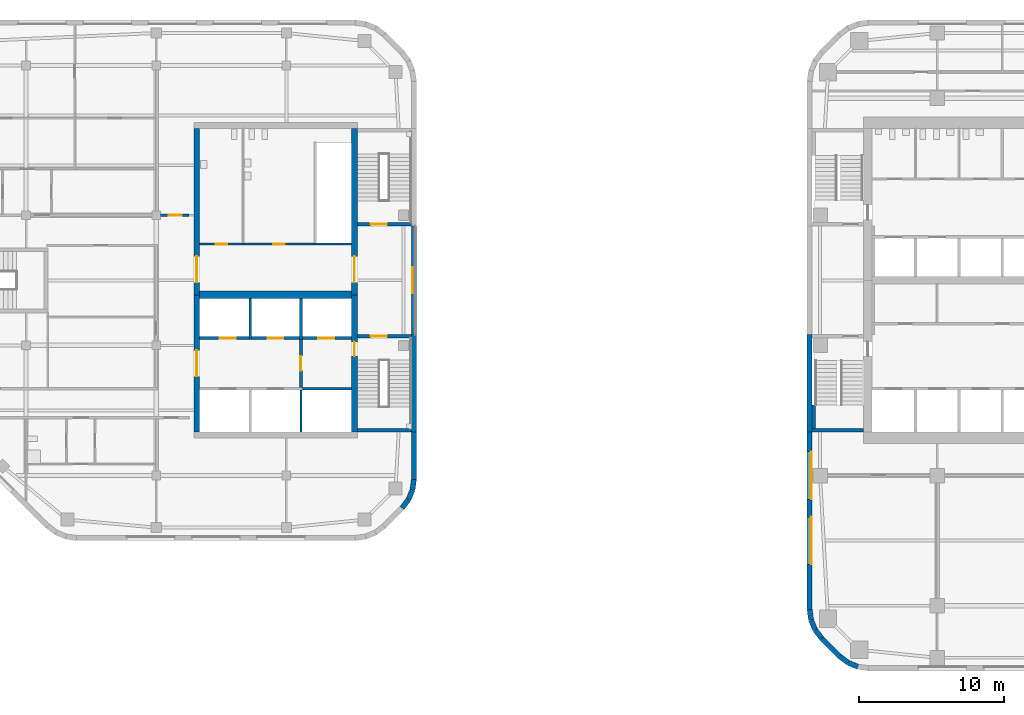
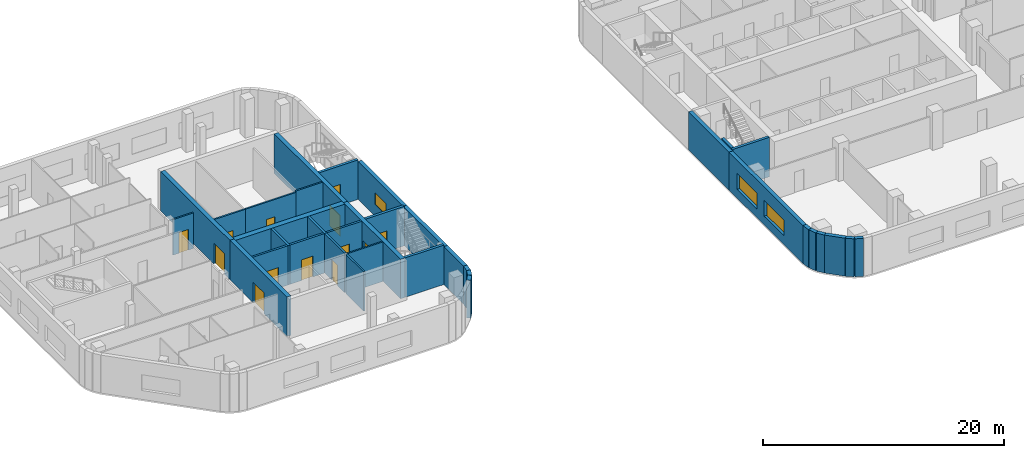
# One storey, part 6 of 14: 36 walls, 13 doors, 3 windows, 16 openings.
"""IFC4 building model written with IfcOpenShell, lengths in metres."""

from ifc_helpers import new_model, si_unit, direction, frame, frame_2d, origin, place, context, subcontext, project, spatial, rectangle, extrude, material, layer, layer_set, type_object, element, fill, save


model = new_model("IFC4")

# Units and contexts
model_context = context("Model", 3, precision=1e-05, world=origin(), true_north=direction((0.0, 1.0)))
body_context = subcontext(model_context, "Body", "Model", "MODEL_VIEW")
ifc_project = project(units=[si_unit("LENGTHUNIT", "METRE"), si_unit("AREAUNIT", "SQUARE_METRE"), si_unit("VOLUMEUNIT", "CUBIC_METRE"), si_unit("PLANEANGLEUNIT", "RADIAN"), si_unit("MASSUNIT", "GRAM", prefix="KILO")], contexts=[model_context])

# Site, building, storey
site_placement = place(None, origin())
site = spatial("IfcSite", under=ifc_project, at=site_placement, CompositionType="ELEMENT")
building_placement = place(site_placement, origin())
building = spatial("IfcBuilding", under=site, at=building_placement, Name="Cinnabar Reach Civic Tower", CompositionType="ELEMENT")
storey_placement = place(building_placement, frame((0.0, 0.0, 116.0)))
storey = spatial("IfcBuildingStorey", under=building, at=storey_placement, Name="L27", CompositionType="ELEMENT", Elevation=116.0)

# Walls
ifc_material_1 = material(Name="Facing brick with insulated backing", Category="masonry")
ifc_layer_1 = layer(ifc_material_1, 0.36)
ifc_layer_set_1 = layer_set([ifc_layer_1], Name="Brick corner wall")
wall_type_1 = type_object("IfcWallType", Name="Brick corner wall", PredefinedType="STANDARD", material=ifc_layer_set_1)
for number, where, z_axis, x_axis, name in (
    (1, (0.183, 8.7314, 0.0), (0.0, 0.0, 1.0), (0.13055608231, -0.99144092581, 0.0), "Brick corner wall"),
    (2, (0.2819, 8.0027, 0.0), (0.0, 0.0, 1.0), (0.382702709855, -0.923871547278, 0.0), "Brick corner wall"),
):
    element("IfcWall", number, at=place(storey_placement, frame(where, z_axis=z_axis, x_axis=x_axis)), inside=storey, type_object=wall_type_1, Name=name, PredefinedType="STANDARD", context=body_context, shape_type="SweptSolid", body=[
        extrude(rectangle(XDim=0.7131, YDim=0.36, at=frame_2d((0.3565, 0.0))), origin(), (0.0, 0.0, 1.0), 3.85),
    ])
for number, where, z_axis, x_axis, name in (
    (3, (0.566, 7.3245, 0.0), (0.0, 0.0, 1.0), (0.608802368033, -0.793321924995, 0.0), "Brick corner wall"),
    (4, (2.2587, 5.5002, 0.0), (0.0, 0.0, 1.0), (0.793321924995, -0.608802368033, 0.0), "Brick corner wall"),
):
    element("IfcWall", number, at=place(storey_placement, frame(where, z_axis=z_axis, x_axis=x_axis)), inside=storey, type_object=wall_type_1, Name=name, PredefinedType="STANDARD", context=body_context, shape_type="SweptSolid", body=[
        extrude(rectangle(XDim=0.7132, YDim=0.36, at=frame_2d((0.3566, 0.0))), origin(), (0.0, 0.0, 1.0), 3.85),
    ])
wall_1_placement = place(storey_placement, frame((2.8439, 5.0548, 0.0), z_axis=(0.0, 0.0, 1.0), x_axis=(0.923871547278, -0.382702709855, 0.0)))
element("IfcWall", 5, at=wall_1_placement, inside=storey, type_object=wall_type_1, Name="Brick corner wall", PredefinedType="STANDARD", context=body_context, shape_type="SweptSolid", body=[
    extrude(rectangle(XDim=0.7131, YDim=0.36, at=frame_2d((0.3565, 0.0))), origin(), (0.0, 0.0, 1.0), 3.85),
])
wall_2_placement = place(storey_placement, frame((-28.0002, 15.7587, 0.0), z_axis=(0.0, 0.0, 1.0), x_axis=(0.608802368033, 0.793321924995, 0.0)))
element("IfcWall", 6, at=wall_2_placement, inside=storey, type_object=wall_type_1, Name="Brick corner wall", PredefinedType="STANDARD", context=body_context, shape_type="SweptSolid", body=[
    extrude(rectangle(XDim=0.7132, YDim=0.36, at=frame_2d((0.3566, 0.0))), origin(), (0.0, 0.0, 1.0), 3.85),
])
for number, where, z_axis, x_axis, name in (
    (7, (-27.5548, 16.3439, 0.0), (0.0, 0.0, 1.0), (0.382702709855, 0.923871547278, 0.0), "Brick corner wall"),
    (8, (-27.2761, 17.0244, 0.0), (0.0, 0.0, 1.0), (0.13055608231, 0.99144092581, 0.0), "Brick corner wall"),
):
    element("IfcWall", number, at=place(storey_placement, frame(where, z_axis=z_axis, x_axis=x_axis)), inside=storey, type_object=wall_type_1, Name=name, PredefinedType="STANDARD", context=body_context, shape_type="SweptSolid", body=[
        extrude(rectangle(XDim=0.7131, YDim=0.36, at=frame_2d((0.3565, 0.0))), origin(), (0.0, 0.0, 1.0), 3.85),
    ])
ifc_layer_2 = layer(ifc_material_1, 0.36)
ifc_layer_set_2 = layer_set([ifc_layer_2], Name="Brick pier and spandrel wall")
wall_type_2 = type_object("IfcWallType", Name="Brick pier and spandrel wall", PredefinedType="STANDARD", material=ifc_layer_set_2)
wall_3_placement = place(storey_placement, frame((0.18, 27.75, 0.0), z_axis=(0.0, 0.0, 1.0), x_axis=(0.0, -1.0, 0.0)))
element("IfcWall", 9, at=wall_3_placement, inside=storey, type_object=wall_type_2, Name="Brick facade wall", PredefinedType="STANDARD", context=body_context, shape_type="SweptSolid", body=[
    extrude(rectangle(XDim=6.75, YDim=0.36, at=frame_2d((3.375, 0.0))), origin(), (0.0, 0.0, 1.0), 3.85),
])

# Wall, openings, windows
wall_4_placement = place(storey_placement, frame((0.18, 21.0, 0.0), z_axis=(0.0, 0.0, 1.0), x_axis=(0.0, -1.0, 0.0)))
wall_4 = element("IfcWall", 10, at=wall_4_placement, inside=storey, type_object=wall_type_2, Name="Brick facade wall", PredefinedType="STANDARD", context=body_context, shape_type="SweptSolid", body=[
    extrude(rectangle(XDim=12.2574, YDim=0.36, at=frame_2d((6.1287, 0.0))), origin(), (0.0, 0.0, 1.0), 3.85),
])
opening_1_placement = place(wall_4_placement, frame((1.35, 0.0, 0.9)))
opening_1 = element("IfcOpeningElement", 11, at=opening_1_placement, cuts=wall_4, Name="Opening W1587", PredefinedType="OPENING", context=body_context, shape_type="SweptSolid", body=[
    extrude(rectangle(XDim=3.3, YDim=1.6, at=frame_2d((1.65, 0.8))), frame((0.0, 0.19, 0.0), z_axis=(0.0, -1.0, 0.0), x_axis=(1.0, 0.0, 0.0)), (0.0, 0.0, 1.0), 0.38),
])
opening_2_placement = place(wall_4_placement, frame((5.85, 0.0, 0.9)))
opening_2 = element("IfcOpeningElement", 12, at=opening_2_placement, cuts=wall_4, Name="Opening W1588", PredefinedType="OPENING", context=body_context, shape_type="SweptSolid", body=[
    extrude(rectangle(XDim=3.3, YDim=1.6, at=frame_2d((1.65, 0.8))), frame((0.0, 0.19, 0.0), z_axis=(0.0, -1.0, 0.0), x_axis=(1.0, 0.0, 0.0)), (0.0, 0.0, 1.0), 0.38),
])
ifc_material_2 = material(Name="Clear double glazing in aluminium frame", Category="aluminium")
window_type_1 = type_object("IfcWindowType", Name="Deep-set window A", PartitioningType="SINGLE_PANEL", PredefinedType="WINDOW", material=ifc_material_2)
window_1_placement = place(opening_1_placement, origin())
window_1 = element("IfcWindow", 13, at=window_1_placement, inside=storey, type_object=window_type_1, Name="Window west face", OverallHeight=1.6, OverallWidth=3.3, PartitioningType="SINGLE_PANEL", PredefinedType="WINDOW", context=body_context, shape_type="SweptSolid", body=[
    extrude(rectangle(XDim=3.3, YDim=1.6, at=frame_2d((1.65, 0.8))), frame((0.0, 0.13, 0.0), z_axis=(0.0, -1.0, 0.0), x_axis=(1.0, 0.0, 0.0)), (0.0, 0.0, 1.0), 0.06),
])
fill(opening_1, window_1)
window_2_placement = place(opening_2_placement, origin())
window_2 = element("IfcWindow", 14, at=window_2_placement, inside=storey, type_object=window_type_1, Name="Window west face", OverallHeight=1.6, OverallWidth=3.3, PartitioningType="SINGLE_PANEL", PredefinedType="WINDOW", context=body_context, shape_type="SweptSolid", body=[
    extrude(rectangle(XDim=3.3, YDim=1.6, at=frame_2d((1.65, 0.8))), frame((0.0, 0.13, 0.0), z_axis=(0.0, -1.0, 0.0), x_axis=(1.0, 0.0, 0.0)), (0.0, 0.0, 1.0), 0.06),
])
fill(opening_2, window_2)

# Walls
wall_5_placement = place(storey_placement, frame((1.006, 6.7486, 0.0), z_axis=(0.0, 0.0, 1.0), x_axis=(0.707106781187, -0.707106781187, 0.0)))
element("IfcWall", 15, at=wall_5_placement, inside=storey, type_object=wall_type_2, Name="Brick facade wall", PredefinedType="STANDARD", context=body_context, shape_type="SweptSolid", body=[
    extrude(rectangle(XDim=1.7573, YDim=0.36, at=frame_2d((0.8787, 0.0))), origin(), (0.0, 0.0, 1.0), 3.85),
])
wall_6_placement = place(storey_placement, frame((-27.18, 17.7426, 0.0), z_axis=(0.0, 0.0, 1.0), x_axis=(0.0, 1.0, 0.0)))
element("IfcWall", 16, at=wall_6_placement, inside=storey, type_object=wall_type_2, Name="Brick facade wall", PredefinedType="STANDARD", context=body_context, shape_type="SweptSolid", body=[
    extrude(rectangle(XDim=3.2574, YDim=0.36, at=frame_2d((1.6287, 0.0))), origin(), (0.0, 0.0, 1.0), 3.85),
])
wall_7_placement = place(storey_placement, frame((-27.18, 21.0, 0.0), z_axis=(0.0, 0.0, 1.0), x_axis=(0.0, 1.0, 0.0)))
element("IfcWall", 17, at=wall_7_placement, inside=storey, type_object=wall_type_2, Name="Brick facade wall", PredefinedType="STANDARD", context=body_context, shape_type="SweptSolid", body=[
    extrude(rectangle(XDim=6.75, YDim=0.36, at=frame_2d((3.375, 0.0))), origin(), (0.0, 0.0, 1.0), 3.85),
])

# Wall, opening, window
wall_8_placement = place(storey_placement, frame((-27.18, 27.75, 0.0), z_axis=(0.0, 0.0, 1.0), x_axis=(0.0, 1.0, 0.0)))
wall_8 = element("IfcWall", 18, at=wall_8_placement, inside=storey, type_object=wall_type_2, Name="Brick facade wall", PredefinedType="STANDARD", context=body_context, shape_type="SweptSolid", body=[
    extrude(rectangle(XDim=7.5, YDim=0.36, at=frame_2d((3.75, 0.0))), origin(), (0.0, 0.0, 1.0), 3.85),
])
opening_3_placement = place(wall_8_placement, frame((2.85, 0.0, 1.2)))
opening_3 = element("IfcOpeningElement", 19, at=opening_3_placement, cuts=wall_8, Name="Opening W2726", PredefinedType="OPENING", context=body_context, shape_type="SweptSolid", body=[
    extrude(rectangle(XDim=1.8, YDim=1.2, at=frame_2d((0.9, 0.6))), frame((0.0, 0.19, 0.0), z_axis=(0.0, -1.0, 0.0), x_axis=(1.0, 0.0, 0.0)), (0.0, 0.0, 1.0), 0.38),
])
window_type_2 = type_object("IfcWindowType", Name="Deep-set window C", PartitioningType="SINGLE_PANEL", PredefinedType="WINDOW", material=ifc_material_2)
window_3_placement = place(opening_3_placement, origin())
window_3 = element("IfcWindow", 20, at=window_3_placement, inside=storey, type_object=window_type_2, Name="Window east face", OverallHeight=1.2, OverallWidth=1.8, PartitioningType="SINGLE_PANEL", PredefinedType="WINDOW", context=body_context, shape_type="SweptSolid", body=[
    extrude(rectangle(XDim=1.8, YDim=1.2, at=frame_2d((0.9, 0.6))), frame((0.0, 0.13, 0.0), z_axis=(0.0, -1.0, 0.0), x_axis=(1.0, 0.0, 0.0)), (0.0, 0.0, 1.0), 0.06),
])
fill(opening_3, window_3)

# Wall, opening, door
ifc_material_3 = material(Name="Concrete C60", Category="concrete")
ifc_layer_3 = layer(ifc_material_3, 0.4)
ifc_layer_set_3 = layer_set([ifc_layer_3], Name="Core wall 400 EI 180")
wall_type_3 = type_object("IfcWallType", Name="Core wall 400 EI 180", PredefinedType="SOLIDWALL", material=ifc_layer_set_3)
wall_9_placement = place(storey_placement, frame((-31.3, 21.0, 0.0), z_axis=(0.0, 0.0, 1.0), x_axis=(0.0, 1.0, 0.0)))
wall_9 = element("IfcWall", 21, at=wall_9_placement, inside=storey, type_object=wall_type_3, Name="Core wall T2 L27 E", PredefinedType="SOLIDWALL", context=body_context, shape_type="SweptSolid", body=[
    extrude(rectangle(XDim=9.5, YDim=0.4, at=frame_2d((4.75, 0.0))), origin(), (0.0, 0.0, 1.0), 4.0),
])
opening_4_placement = place(wall_9_placement, frame((5.25, 0.0, 0.0)))
opening_4 = element("IfcOpeningElement", 22, at=opening_4_placement, cuts=wall_9, Name="Opening D6982", PredefinedType="OPENING", context=body_context, shape_type="SweptSolid", body=[
    extrude(rectangle(XDim=1.0, YDim=2.1, at=frame_2d((0.5, 1.05))), frame((0.0, 0.21, 0.0), z_axis=(0.0, -1.0, 0.0), x_axis=(1.0, 0.0, 0.0)), (0.0, 0.0, 1.0), 0.42),
])
ifc_material_4 = material(Name="Steel fire door", Category="steel")
door_type_1 = type_object("IfcDoorType", Name="T2 Firefighting lobby door 1000", OperationType="SINGLE_SWING_LEFT", PredefinedType="DOOR", material=ifc_material_4)
door_1_placement = place(opening_4_placement, frame((1.0, 0.0, 0.0), z_axis=(0.0, 0.0, 1.0), x_axis=(-1.0, 0.0, 0.0)))
door_1 = element("IfcDoor", 23, at=door_1_placement, inside=storey, type_object=door_type_1, Name="T2 Firefighting lobby door D6982", OperationType="SINGLE_SWING_LEFT", OverallHeight=2.1, OverallWidth=1.0, PredefinedType="DOOR", context=body_context, shape_type="SweptSolid", body=[
    extrude(rectangle(XDim=1.0, YDim=2.1, at=frame_2d((0.5, 1.05))), frame((0.0, 0.025, 0.0), z_axis=(0.0, -1.0, 0.0), x_axis=(1.0, 0.0, 0.0)), (0.0, 0.0, 1.0), 0.05),
])
fill(opening_4, door_1)

wall_10_placement = place(storey_placement, frame((-31.3, 30.5, 0.0), z_axis=(0.0, 0.0, 1.0), x_axis=(0.0, 1.0, 0.0)))
wall_10 = element("IfcWall", 24, at=wall_10_placement, inside=storey, type_object=wall_type_3, Name="Core wall T2 L27 E2", PredefinedType="SOLIDWALL", context=body_context, shape_type="SweptSolid", body=[
    extrude(rectangle(XDim=11.5, YDim=0.4, at=frame_2d((5.75, 0.0))), origin(), (0.0, 0.0, 1.0), 4.0),
])
opening_5_placement = place(wall_10_placement, frame((0.85, 0.0, 0.0)))
opening_5 = element("IfcOpeningElement", 25, at=opening_5_placement, cuts=wall_10, Name="Opening D6985", PredefinedType="OPENING", context=body_context, shape_type="SweptSolid", body=[
    extrude(rectangle(XDim=1.8, YDim=2.1, at=frame_2d((0.9, 1.05))), frame((0.0, 0.21, 0.0), z_axis=(0.0, -1.0, 0.0), x_axis=(1.0, 0.0, 0.0)), (0.0, 0.0, 1.0), 0.42),
])
door_type_2 = type_object("IfcDoorType", Name="T2 Double door 1800", OperationType="DOUBLE_DOOR_SINGLE_SWING", PredefinedType="DOOR", material=ifc_material_4)
door_2_placement = place(opening_5_placement, origin())
door_2 = element("IfcDoor", 26, at=door_2_placement, inside=storey, type_object=door_type_2, Name="T2 Double door D6985", OperationType="DOUBLE_DOOR_SINGLE_SWING", OverallHeight=2.1, OverallWidth=1.8, PredefinedType="DOOR", context=body_context, shape_type="SweptSolid", body=[
    extrude(rectangle(XDim=1.8, YDim=2.1, at=frame_2d((0.9, 1.05))), frame((0.0, 0.025, 0.0), z_axis=(0.0, -1.0, 0.0), x_axis=(1.0, 0.0, 0.0)), (0.0, 0.0, 1.0), 0.05),
])
fill(opening_5, door_2)

wall_11_placement = place(storey_placement, frame((-42.2, 42.0, 0.0), z_axis=(0.0, 0.0, 1.0), x_axis=(0.0, -1.0, 0.0)))
wall_11 = element("IfcWall", 27, at=wall_11_placement, inside=storey, type_object=wall_type_3, Name="Core wall T2 L27 W", PredefinedType="SOLIDWALL", context=body_context, shape_type="SweptSolid", body=[
    extrude(rectangle(XDim=11.5, YDim=0.4, at=frame_2d((5.75, 0.0))), origin(), (0.0, 0.0, 1.0), 4.0),
])
opening_6_placement = place(wall_11_placement, frame((8.85, 0.0, 0.0)))
opening_6 = element("IfcOpeningElement", 28, at=opening_6_placement, cuts=wall_11, Name="Opening D6987", PredefinedType="OPENING", context=body_context, shape_type="SweptSolid", body=[
    extrude(rectangle(XDim=1.8, YDim=2.1, at=frame_2d((0.9, 1.05))), frame((0.0, 0.21, 0.0), z_axis=(0.0, -1.0, 0.0), x_axis=(1.0, 0.0, 0.0)), (0.0, 0.0, 1.0), 0.42),
])
door_3_placement = place(opening_6_placement, frame((1.8, 0.0, 0.0), z_axis=(0.0, 0.0, 1.0), x_axis=(-1.0, 0.0, 0.0)))
door_3 = element("IfcDoor", 29, at=door_3_placement, inside=storey, type_object=door_type_2, Name="T2 Double door D6987", OperationType="DOUBLE_DOOR_SINGLE_SWING", OverallHeight=2.1, OverallWidth=1.8, PredefinedType="DOOR", context=body_context, shape_type="SweptSolid", body=[
    extrude(rectangle(XDim=1.8, YDim=2.1, at=frame_2d((0.9, 1.05))), frame((0.0, 0.025, 0.0), z_axis=(0.0, -1.0, 0.0), x_axis=(1.0, 0.0, 0.0)), (0.0, 0.0, 1.0), 0.05),
])
fill(opening_6, door_3)

wall_12_placement = place(storey_placement, frame((-42.2, 30.5, 0.0), z_axis=(0.0, 0.0, 1.0), x_axis=(0.0, -1.0, 0.0)))
wall_12 = element("IfcWall", 30, at=wall_12_placement, inside=storey, type_object=wall_type_3, Name="Core wall T2 L27 W2", PredefinedType="SOLIDWALL", context=body_context, shape_type="SweptSolid", body=[
    extrude(rectangle(XDim=9.5, YDim=0.4, at=frame_2d((4.75, 0.0))), origin(), (0.0, 0.0, 1.0), 4.0),
])
opening_7_placement = place(wall_12_placement, frame((3.85, 0.0, 0.0)))
opening_7 = element("IfcOpeningElement", 31, at=opening_7_placement, cuts=wall_12, Name="Opening D6986", PredefinedType="OPENING", context=body_context, shape_type="SweptSolid", body=[
    extrude(rectangle(XDim=1.8, YDim=2.1, at=frame_2d((0.9, 1.05))), frame((0.0, 0.21, 0.0), z_axis=(0.0, -1.0, 0.0), x_axis=(1.0, 0.0, 0.0)), (0.0, 0.0, 1.0), 0.42),
])
door_4_placement = place(opening_7_placement, origin())
door_4 = element("IfcDoor", 32, at=door_4_placement, inside=storey, type_object=door_type_2, Name="T2 Double door D6986", OperationType="DOUBLE_DOOR_SINGLE_SWING", OverallHeight=2.1, OverallWidth=1.8, PredefinedType="DOOR", context=body_context, shape_type="SweptSolid", body=[
    extrude(rectangle(XDim=1.8, YDim=2.1, at=frame_2d((0.9, 1.05))), frame((0.0, 0.025, 0.0), z_axis=(0.0, -1.0, 0.0), x_axis=(1.0, 0.0, 0.0)), (0.0, 0.0, 1.0), 0.05),
])
fill(opening_7, door_4)

# Wall
ifc_layer_4 = layer(ifc_material_3, 0.5)
ifc_layer_set_4 = layer_set([ifc_layer_4], Name="Core wall 500 EI 180")
wall_type_4 = type_object("IfcWallType", Name="Core wall 500 EI 180", PredefinedType="SOLIDWALL", material=ifc_layer_set_4)
wall_13_placement = place(storey_placement, frame((-42.0, 30.5, 0.0), z_axis=(0.0, 0.0, 1.0), x_axis=(1.0, 0.0, 0.0)))
element("IfcWall", 33, at=wall_13_placement, inside=storey, type_object=wall_type_4, Name="Core spine wall T2 L27", PredefinedType="SOLIDWALL", context=body_context, shape_type="SweptSolid", body=[
    extrude(rectangle(XDim=10.5, YDim=0.5, at=frame_2d((5.25, 0.0))), origin(), (0.0, 0.0, 1.0), 4.0),
])

# Wall, opening, door
ifc_material_5 = material(Name="Gypsum board on steel studs, double layer", Category="steel")
ifc_layer_5 = layer(ifc_material_5, 0.15)
ifc_layer_set_5 = layer_set([ifc_layer_5], Name="Corridor wall 150 T2")
wall_type_5 = type_object("IfcWallType", Name="Corridor wall 150 T2", PredefinedType="PARTITIONING", material=ifc_layer_set_5)
wall_14_placement = place(storey_placement, frame((-44.7, 36.0, 0.0), z_axis=(0.0, 0.0, 1.0), x_axis=(1.0, 0.0, 0.0)))
wall_14 = element("IfcWall", 34, at=wall_14_placement, inside=storey, type_object=wall_type_5, Name="Corridor wall 1", PredefinedType="PARTITIONING", context=body_context, shape_type="SweptSolid", body=[
    extrude(rectangle(XDim=1.975, YDim=0.15, at=frame_2d((0.9875, 0.0))), origin(), (0.0, 0.0, 1.0), 3.602),
])
opening_8_placement = place(wall_14_placement, frame((0.55, 0.0, 0.0)))
opening_8 = element("IfcOpeningElement", 35, at=opening_8_placement, cuts=wall_14, Name="Opening D6990", PredefinedType="OPENING", context=body_context, shape_type="SweptSolid", body=[
    extrude(rectangle(XDim=0.9, YDim=2.1, at=frame_2d((0.45, 1.05))), frame((0.0, 0.085, 0.0), z_axis=(0.0, -1.0, 0.0), x_axis=(1.0, 0.0, 0.0)), (0.0, 0.0, 1.0), 0.17),
])
ifc_material_6 = material(Name="Timber door leaf in steel frame", Category="steel")
door_type_3 = type_object("IfcDoorType", Name="Single swing door 900 x 2100 T2", OperationType="SINGLE_SWING_LEFT", PredefinedType="DOOR", material=ifc_material_6)
door_5_placement = place(opening_8_placement, origin())
door_5 = element("IfcDoor", 36, at=door_5_placement, inside=storey, type_object=door_type_3, Name="Door D6990", OperationType="SINGLE_SWING_RIGHT", OverallHeight=2.1, OverallWidth=0.9, PredefinedType="DOOR", context=body_context, shape_type="SweptSolid", body=[
    extrude(rectangle(XDim=0.9, YDim=2.1, at=frame_2d((0.45, 1.05))), frame((0.0, 0.025, 0.0), z_axis=(0.0, -1.0, 0.0), x_axis=(1.0, 0.0, 0.0)), (0.0, 0.0, 1.0), 0.05),
])
fill(opening_8, door_5)

# Walls
ifc_layer_6 = layer(ifc_material_3, 0.25)
ifc_layer_set_6 = layer_set([ifc_layer_6], Name="Stair shaft wall 250 EI 120")
wall_type_6 = type_object("IfcWallType", Name="Stair shaft wall 250 EI 120", PredefinedType="SOLIDWALL", material=ifc_layer_set_6)
wall_15_placement = place(storey_placement, frame((0.36, 21.125, 0.0), z_axis=(0.0, 0.0, 1.0), x_axis=(1.0, 0.0, 0.0)))
element("IfcWall", 37, at=wall_15_placement, inside=storey, type_object=wall_type_6, Name="Stair shaft wall T1-S1 L27", PredefinedType="SOLIDWALL", context=body_context, shape_type="SweptSolid", body=[
    extrude(rectangle(XDim=3.54, YDim=0.25, at=frame_2d((1.77, 0.0))), origin(), (0.0, 0.0, 1.0), 4.0),
])
wall_16_placement = place(storey_placement, frame((-31.1, 21.125, 0.0), z_axis=(0.0, 0.0, 1.0), x_axis=(1.0, 0.0, 0.0)))
element("IfcWall", 38, at=wall_16_placement, inside=storey, type_object=wall_type_6, Name="Stair shaft wall T2-S1 L27", PredefinedType="SOLIDWALL", context=body_context, shape_type="SweptSolid", body=[
    extrude(rectangle(XDim=3.74, YDim=0.25, at=frame_2d((1.87, 0.0))), origin(), (0.0, 0.0, 1.0), 4.0),
])

# Wall, opening, door
wall_17_placement = place(storey_placement, frame((-27.36, 27.625, 0.0), z_axis=(0.0, 0.0, 1.0), x_axis=(-1.0, 0.0, 0.0)))
wall_17 = element("IfcWall", 39, at=wall_17_placement, inside=storey, type_object=wall_type_6, Name="Stair shaft wall T2-S1 L27", PredefinedType="SOLIDWALL", context=body_context, shape_type="SweptSolid", body=[
    extrude(rectangle(XDim=3.74, YDim=0.25, at=frame_2d((1.87, 0.0))), origin(), (0.0, 0.0, 1.0), 4.0),
])
opening_9_placement = place(wall_17_placement, frame((1.69, 0.0, 0.0)))
opening_9 = element("IfcOpeningElement", 40, at=opening_9_placement, cuts=wall_17, Name="Opening D6983", PredefinedType="OPENING", context=body_context, shape_type="SweptSolid", body=[
    extrude(rectangle(XDim=1.1, YDim=2.1, at=frame_2d((0.55, 1.05))), frame((0.0, 0.135, 0.0), z_axis=(0.0, -1.0, 0.0), x_axis=(1.0, 0.0, 0.0)), (0.0, 0.0, 1.0), 0.27),
])
door_type_4 = type_object("IfcDoorType", Name="T2 Stair door 1100", OperationType="SINGLE_SWING_LEFT", PredefinedType="DOOR", material=ifc_material_4)
door_6_placement = place(opening_9_placement, origin())
door_6 = element("IfcDoor", 41, at=door_6_placement, inside=storey, type_object=door_type_4, Name="T2 Stair door D6983", OperationType="SINGLE_SWING_LEFT", OverallHeight=2.1, OverallWidth=1.1, PredefinedType="DOOR", context=body_context, shape_type="SweptSolid", body=[
    extrude(rectangle(XDim=1.1, YDim=2.1, at=frame_2d((0.55, 1.05))), frame((0.0, 0.025, 0.0), z_axis=(0.0, -1.0, 0.0), x_axis=(1.0, 0.0, 0.0)), (0.0, 0.0, 1.0), 0.05),
])
fill(opening_9, door_6)

wall_18_placement = place(storey_placement, frame((-31.1, 35.375, 0.0), z_axis=(0.0, 0.0, 1.0), x_axis=(1.0, 0.0, 0.0)))
wall_18 = element("IfcWall", 42, at=wall_18_placement, inside=storey, type_object=wall_type_6, Name="Stair shaft wall T2-S2 L27", PredefinedType="SOLIDWALL", context=body_context, shape_type="SweptSolid", body=[
    extrude(rectangle(XDim=3.74, YDim=0.25, at=frame_2d((1.87, 0.0))), origin(), (0.0, 0.0, 1.0), 4.0),
])
opening_10_placement = place(wall_18_placement, frame((0.95, 0.0, 0.0)))
opening_10 = element("IfcOpeningElement", 43, at=opening_10_placement, cuts=wall_18, Name="Opening D6984", PredefinedType="OPENING", context=body_context, shape_type="SweptSolid", body=[
    extrude(rectangle(XDim=1.1, YDim=2.1, at=frame_2d((0.55, 1.05))), frame((0.0, 0.135, 0.0), z_axis=(0.0, -1.0, 0.0), x_axis=(1.0, 0.0, 0.0)), (0.0, 0.0, 1.0), 0.27),
])
door_7_placement = place(opening_10_placement, origin())
door_7 = element("IfcDoor", 44, at=door_7_placement, inside=storey, type_object=door_type_4, Name="T2 Stair door D6984", OperationType="SINGLE_SWING_RIGHT", OverallHeight=2.1, OverallWidth=1.1, PredefinedType="DOOR", context=body_context, shape_type="SweptSolid", body=[
    extrude(rectangle(XDim=1.1, YDim=2.1, at=frame_2d((0.55, 1.05))), frame((0.0, 0.025, 0.0), z_axis=(0.0, -1.0, 0.0), x_axis=(1.0, 0.0, 0.0)), (0.0, 0.0, 1.0), 0.05),
])
fill(opening_10, door_7)

# Wall
ifc_material_7 = material(Name="Concrete C40/50", Category="concrete")
ifc_layer_7 = layer(ifc_material_7, 0.24)
ifc_layer_set_7 = layer_set([ifc_layer_7], Name="T1 landing bearer wall 240")
wall_type_7 = type_object("IfcWallType", Name="T1 landing bearer wall 240", PredefinedType="STANDARD", material=ifc_layer_set_7)
wall_19_placement = place(storey_placement, frame((0.48, 21.25, 0.0), z_axis=(0.0, 0.0, 1.0), x_axis=(0.0, 1.0, 0.0)))
element("IfcWall", 45, at=wall_19_placement, inside=storey, type_object=wall_type_7, Name="T1-S1 landing bearer wall", PredefinedType="STANDARD", context=body_context, shape_type="SweptSolid", body=[
    extrude(rectangle(XDim=1.62, YDim=0.24, at=frame_2d((0.81, 0.0))), origin(), (0.0, 0.0, 1.0), 4.0),
])

# Wall, opening, door
ifc_material_8 = material(Name="Masonry block partition", Category="masonry")
ifc_layer_8 = layer(ifc_material_8, 0.15)
ifc_layer_set_8 = layer_set([ifc_layer_8], Name="T2 Corridor wall 150")
wall_type_8 = type_object("IfcWallType", Name="T2 Corridor wall 150", PredefinedType="PARTITIONING", material=ifc_layer_set_8)
wall_20_placement = place(storey_placement, frame((-38.925, 34.0, 0.0), z_axis=(0.0, 0.0, 1.0), x_axis=(-1.0, 0.0, 0.0)))
wall_20 = element("IfcWall", 46, at=wall_20_placement, inside=storey, type_object=wall_type_8, Name="T2 Corridor wall L27 014", PredefinedType="PARTITIONING", context=body_context, shape_type="SweptSolid", body=[
    extrude(rectangle(XDim=3.075, YDim=0.15, at=frame_2d((1.5375, 0.0))), origin(), (0.0, 0.0, 1.0), 3.85),
])
opening_11_placement = place(wall_20_placement, frame((1.175, 0.0, 0.0)))
opening_11 = element("IfcOpeningElement", 47, at=opening_11_placement, cuts=wall_20, Name="Opening D6988", PredefinedType="OPENING", context=body_context, shape_type="SweptSolid", body=[
    extrude(rectangle(XDim=0.8, YDim=2.1, at=frame_2d((0.4, 1.05))), frame((0.0, 0.085, 0.0), z_axis=(0.0, -1.0, 0.0), x_axis=(1.0, 0.0, 0.0)), (0.0, 0.0, 1.0), 0.17),
])
ifc_material_9 = material(Name="Timber door leaf", Category="wood")
door_type_5 = type_object("IfcDoorType", Name="T2 Bathroom door 800", OperationType="SINGLE_SWING_LEFT", PredefinedType="DOOR", material=ifc_material_9)
door_8_placement = place(opening_11_placement, frame((0.8, 0.0, 0.0), z_axis=(0.0, 0.0, 1.0), x_axis=(-1.0, 0.0, 0.0)))
door_8 = element("IfcDoor", 48, at=door_8_placement, inside=storey, type_object=door_type_5, Name="T2 Bathroom door D6988", OperationType="SINGLE_SWING_RIGHT", OverallHeight=2.1, OverallWidth=0.8, PredefinedType="DOOR", context=body_context, shape_type="SweptSolid", body=[
    extrude(rectangle(XDim=0.8, YDim=2.1, at=frame_2d((0.4, 1.05))), frame((0.0, 0.025, 0.0), z_axis=(0.0, -1.0, 0.0), x_axis=(1.0, 0.0, 0.0)), (0.0, 0.0, 1.0), 0.05),
])
fill(opening_11, door_8)

wall_21_placement = place(storey_placement, frame((-34.075, 34.0, 0.0), z_axis=(0.0, 0.0, 1.0), x_axis=(-1.0, 0.0, 0.0)))
wall_21 = element("IfcWall", 49, at=wall_21_placement, inside=storey, type_object=wall_type_8, Name="T2 Corridor wall L27 015", PredefinedType="PARTITIONING", context=body_context, shape_type="SweptSolid", body=[
    extrude(rectangle(XDim=4.85, YDim=0.15, at=frame_2d((2.425, 0.0))), origin(), (0.0, 0.0, 1.0), 3.85),
])
opening_12_placement = place(wall_21_placement, frame((2.025, 0.0, 0.0)))
opening_12 = element("IfcOpeningElement", 50, at=opening_12_placement, cuts=wall_21, Name="Opening D6989", PredefinedType="OPENING", context=body_context, shape_type="SweptSolid", body=[
    extrude(rectangle(XDim=0.8, YDim=2.1, at=frame_2d((0.4, 1.05))), frame((0.0, 0.085, 0.0), z_axis=(0.0, -1.0, 0.0), x_axis=(1.0, 0.0, 0.0)), (0.0, 0.0, 1.0), 0.17),
])
door_9_placement = place(opening_12_placement, frame((0.8, 0.0, 0.0), z_axis=(0.0, 0.0, 1.0), x_axis=(-1.0, 0.0, 0.0)))
door_9 = element("IfcDoor", 51, at=door_9_placement, inside=storey, type_object=door_type_5, Name="T2 Bathroom door D6989", OperationType="SINGLE_SWING_RIGHT", OverallHeight=2.1, OverallWidth=0.8, PredefinedType="DOOR", context=body_context, shape_type="SweptSolid", body=[
    extrude(rectangle(XDim=0.8, YDim=2.1, at=frame_2d((0.4, 1.05))), frame((0.0, 0.025, 0.0), z_axis=(0.0, -1.0, 0.0), x_axis=(1.0, 0.0, 0.0)), (0.0, 0.0, 1.0), 0.05),
])
fill(opening_12, door_9)

# Walls
ifc_material_10 = material(Name="Concrete C40", Category="concrete")
ifc_layer_9 = layer(ifc_material_10, 0.15)
ifc_layer_set_9 = layer_set([ifc_layer_9], Name="T2 Riser wall 150")
wall_type_9 = type_object("IfcWallType", Name="T2 Riser wall 150", PredefinedType="SOLIDWALL", material=ifc_layer_set_9)
wall_22_placement = place(storey_placement, frame((-35.0, 21.0, 0.0), z_axis=(0.0, 0.0, 1.0), x_axis=(0.0, 1.0, 0.0)))
element("IfcWall", 52, at=wall_22_placement, inside=storey, type_object=wall_type_9, Name="T2 Riser wall L27 010", PredefinedType="SOLIDWALL", context=body_context, shape_type="SweptSolid", body=[
    extrude(rectangle(XDim=2.9, YDim=0.15, at=frame_2d((1.45, 0.0))), origin(), (0.0, 0.0, 1.0), 4.0),
])
wall_23_placement = place(storey_placement, frame((-31.5, 24.0, 0.0), z_axis=(0.0, 0.0, 1.0), x_axis=(-1.0, 0.0, 0.0)))
element("IfcWall", 53, at=wall_23_placement, inside=storey, type_object=wall_type_9, Name="T2 Riser wall L27 011", PredefinedType="SOLIDWALL", context=body_context, shape_type="SweptSolid", body=[
    extrude(rectangle(XDim=3.4, YDim=0.15, at=frame_2d((1.7, 0.0))), origin(), (0.0, 0.0, 1.0), 4.0),
])
wall_24_placement = place(storey_placement, frame((-34.075, 34.0, 0.0), z_axis=(0.0, 0.0, 1.0), x_axis=(1.0, 0.0, 0.0)))
element("IfcWall", 54, at=wall_24_placement, inside=storey, type_object=wall_type_9, Name="T2 Riser wall L27 012", PredefinedType="SOLIDWALL", context=body_context, shape_type="SweptSolid", body=[
    extrude(rectangle(XDim=2.575, YDim=0.15, at=frame_2d((1.2875, 0.0))), origin(), (0.0, 0.0, 1.0), 4.0),
])
ifc_layer_10 = layer(ifc_material_10, 0.2)
ifc_layer_set_10 = layer_set([ifc_layer_10], Name="T2 Shaft wall 200")
wall_type_10 = type_object("IfcWallType", Name="T2 Shaft wall 200", PredefinedType="SOLIDWALL", material=ifc_layer_set_10)
wall_25_placement = place(storey_placement, frame((-38.5, 27.4, 0.0), z_axis=(0.0, 0.0, 1.0), x_axis=(0.0, 1.0, 0.0)))
element("IfcWall", 55, at=wall_25_placement, inside=storey, type_object=wall_type_10, Name="T2 Shaft wall L27 004", PredefinedType="SOLIDWALL", context=body_context, shape_type="SweptSolid", body=[
    extrude(rectangle(XDim=2.85, YDim=0.2, at=frame_2d((1.425, 0.0))), origin(), (0.0, 0.0, 1.0), 4.0),
])

# Wall, opening, door
wall_26_placement = place(storey_placement, frame((-42.0, 27.5, 0.0), z_axis=(0.0, 0.0, 1.0), x_axis=(1.0, 0.0, 0.0)))
wall_26 = element("IfcWall", 56, at=wall_26_placement, inside=storey, type_object=wall_type_10, Name="T2 Shaft wall L27 005", PredefinedType="SOLIDWALL", context=body_context, shape_type="SweptSolid", body=[
    extrude(rectangle(XDim=3.4, YDim=0.2, at=frame_2d((1.7, 0.0))), origin(), (0.0, 0.0, 1.0), 4.0),
])
opening_13_placement = place(wall_26_placement, frame((1.4, 0.0, 0.0)))
opening_13 = element("IfcOpeningElement", 57, at=opening_13_placement, cuts=wall_26, Name="Opening D6978", PredefinedType="OPENING", context=body_context, shape_type="SweptSolid", body=[
    extrude(rectangle(XDim=1.1, YDim=2.1, at=frame_2d((0.55, 1.05))), frame((0.0, 0.11, 0.0), z_axis=(0.0, -1.0, 0.0), x_axis=(1.0, 0.0, 0.0)), (0.0, 0.0, 1.0), 0.22),
])
door_type_6 = type_object("IfcDoorType", Name="T2 Lift landing door 1100", OperationType="SLIDING_TO_LEFT", PredefinedType="DOOR", material=ifc_material_4)
door_10_placement = place(opening_13_placement, origin())
door_10 = element("IfcDoor", 58, at=door_10_placement, inside=storey, type_object=door_type_6, Name="T2 Lift landing door D6978", OperationType="SLIDING_TO_LEFT", OverallHeight=2.1, OverallWidth=1.1, PredefinedType="DOOR", context=body_context, shape_type="SweptSolid", body=[
    extrude(rectangle(XDim=1.1, YDim=2.1, at=frame_2d((0.55, 1.05))), frame((0.0, 0.025, 0.0), z_axis=(0.0, -1.0, 0.0), x_axis=(1.0, 0.0, 0.0)), (0.0, 0.0, 1.0), 0.05),
])
fill(opening_13, door_10)

# Wall
wall_27_placement = place(storey_placement, frame((-35.0, 27.4, 0.0), z_axis=(0.0, 0.0, 1.0), x_axis=(0.0, 1.0, 0.0)))
element("IfcWall", 59, at=wall_27_placement, inside=storey, type_object=wall_type_10, Name="T2 Shaft wall L27 006", PredefinedType="SOLIDWALL", context=body_context, shape_type="SweptSolid", body=[
    extrude(rectangle(XDim=2.85, YDim=0.2, at=frame_2d((1.425, 0.0))), origin(), (0.0, 0.0, 1.0), 4.0),
])

# Wall, opening, door
wall_28_placement = place(storey_placement, frame((-38.4, 27.5, 0.0), z_axis=(0.0, 0.0, 1.0), x_axis=(1.0, 0.0, 0.0)))
wall_28 = element("IfcWall", 60, at=wall_28_placement, inside=storey, type_object=wall_type_10, Name="T2 Shaft wall L27 007", PredefinedType="SOLIDWALL", context=body_context, shape_type="SweptSolid", body=[
    extrude(rectangle(XDim=3.3, YDim=0.2, at=frame_2d((1.65, 0.0))), origin(), (0.0, 0.0, 1.0), 4.0),
])
opening_14_placement = place(wall_28_placement, frame((1.1, 0.0, 0.0)))
opening_14 = element("IfcOpeningElement", 61, at=opening_14_placement, cuts=wall_28, Name="Opening D6979", PredefinedType="OPENING", context=body_context, shape_type="SweptSolid", body=[
    extrude(rectangle(XDim=1.1, YDim=2.1, at=frame_2d((0.55, 1.05))), frame((0.0, 0.11, 0.0), z_axis=(0.0, -1.0, 0.0), x_axis=(1.0, 0.0, 0.0)), (0.0, 0.0, 1.0), 0.22),
])
door_11_placement = place(opening_14_placement, origin())
door_11 = element("IfcDoor", 62, at=door_11_placement, inside=storey, type_object=door_type_6, Name="T2 Lift landing door D6979", OperationType="SLIDING_TO_LEFT", OverallHeight=2.1, OverallWidth=1.1, PredefinedType="DOOR", context=body_context, shape_type="SweptSolid", body=[
    extrude(rectangle(XDim=1.1, YDim=2.1, at=frame_2d((0.55, 1.05))), frame((0.0, 0.025, 0.0), z_axis=(0.0, -1.0, 0.0), x_axis=(1.0, 0.0, 0.0)), (0.0, 0.0, 1.0), 0.05),
])
fill(opening_14, door_11)

wall_29_placement = place(storey_placement, frame((-34.9, 27.5, 0.0), z_axis=(0.0, 0.0, 1.0), x_axis=(1.0, 0.0, 0.0)))
wall_29 = element("IfcWall", 63, at=wall_29_placement, inside=storey, type_object=wall_type_10, Name="T2 Shaft wall L27 008", PredefinedType="SOLIDWALL", context=body_context, shape_type="SweptSolid", body=[
    extrude(rectangle(XDim=3.4, YDim=0.2, at=frame_2d((1.7, 0.0))), origin(), (0.0, 0.0, 1.0), 4.0),
])
opening_15_placement = place(wall_29_placement, frame((1.1, 0.0, 0.0)))
opening_15 = element("IfcOpeningElement", 64, at=opening_15_placement, cuts=wall_29, Name="Opening D6980", PredefinedType="OPENING", context=body_context, shape_type="SweptSolid", body=[
    extrude(rectangle(XDim=1.1, YDim=2.1, at=frame_2d((0.55, 1.05))), frame((0.0, 0.11, 0.0), z_axis=(0.0, -1.0, 0.0), x_axis=(1.0, 0.0, 0.0)), (0.0, 0.0, 1.0), 0.22),
])
door_type_7 = type_object("IfcDoorType", Name="T2 Firefighting lift landing door 1100", OperationType="SLIDING_TO_LEFT", PredefinedType="DOOR", material=ifc_material_4)
door_12_placement = place(opening_15_placement, origin())
door_12 = element("IfcDoor", 65, at=door_12_placement, inside=storey, type_object=door_type_7, Name="T2 Firefighting lift landing door D6980", OperationType="SLIDING_TO_LEFT", OverallHeight=2.1, OverallWidth=1.1, PredefinedType="DOOR", context=body_context, shape_type="SweptSolid", body=[
    extrude(rectangle(XDim=1.1, YDim=2.1, at=frame_2d((0.55, 1.05))), frame((0.0, 0.025, 0.0), z_axis=(0.0, -1.0, 0.0), x_axis=(1.0, 0.0, 0.0)), (0.0, 0.0, 1.0), 0.05),
])
fill(opening_15, door_12)

wall_30_placement = place(storey_placement, frame((-35.0, 24.1, 0.0), z_axis=(0.0, 0.0, 1.0), x_axis=(0.0, 1.0, 0.0)))
wall_30 = element("IfcWall", 66, at=wall_30_placement, inside=storey, type_object=wall_type_10, Name="T2 Shaft wall L27 009", PredefinedType="SOLIDWALL", context=body_context, shape_type="SweptSolid", body=[
    extrude(rectangle(XDim=3.3, YDim=0.2, at=frame_2d((1.65, 0.0))), origin(), (0.0, 0.0, 1.0), 4.0),
])
opening_16_placement = place(wall_30_placement, frame((1.15, 0.0, 0.0)))
opening_16 = element("IfcOpeningElement", 67, at=opening_16_placement, cuts=wall_30, Name="Opening D6981", PredefinedType="OPENING", context=body_context, shape_type="SweptSolid", body=[
    extrude(rectangle(XDim=1.0, YDim=2.1, at=frame_2d((0.5, 1.05))), frame((0.0, 0.11, 0.0), z_axis=(0.0, -1.0, 0.0), x_axis=(1.0, 0.0, 0.0)), (0.0, 0.0, 1.0), 0.22),
])
door_13_placement = place(opening_16_placement, origin())
door_13 = element("IfcDoor", 68, at=door_13_placement, inside=storey, type_object=door_type_1, Name="T2 Firefighting lobby door D6981", OperationType="SINGLE_SWING_RIGHT", OverallHeight=2.1, OverallWidth=1.0, PredefinedType="DOOR", context=body_context, shape_type="SweptSolid", body=[
    extrude(rectangle(XDim=1.0, YDim=2.1, at=frame_2d((0.5, 1.05))), frame((0.0, 0.025, 0.0), z_axis=(0.0, -1.0, 0.0), x_axis=(1.0, 0.0, 0.0)), (0.0, 0.0, 1.0), 0.05),
])
fill(opening_16, door_13)

save(model, "model.ifc")
